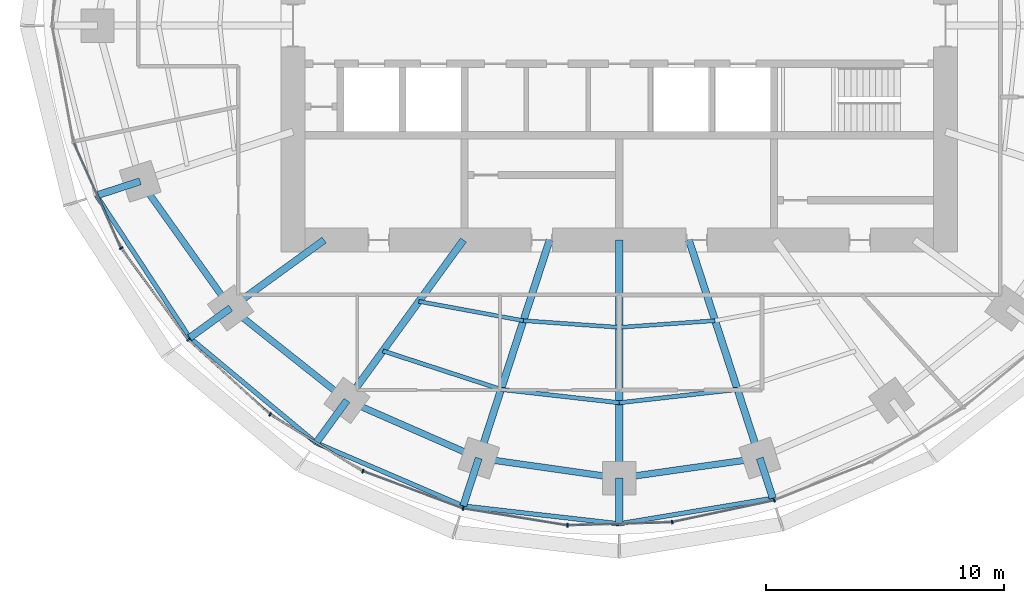
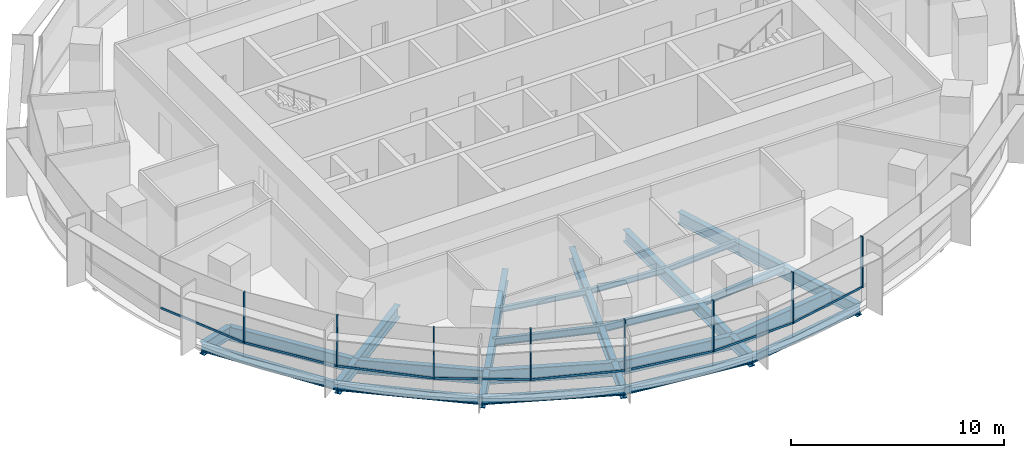
# One storey, part 2 of 14: 27 beams, 16 members, 2 elements without a shape of their own.
"""IFC4 building model written with IfcOpenShell, lengths in metres."""

import ifcopenshell
import ifcopenshell.guid

model = None  # the IFC model being written
_history = None  # IfcOwnerHistory: only IFC2X3 demands one
_inside = {}  # id of a spatial element -> (the spatial element, [elements in it])
_under = {}  # id of a project, library or spatial element -> (it, [spatial elements below it])
_declared = {}  # id of a project -> (the project, [libraries it declares])
_typed = {}  # id of a type object -> (the type object, [elements of that type])
_made_of = {}  # id of a material, layer set ... -> (it, [elements and type objects made of it])


def new_model(schema):
    """Start an empty IFC model of exactly this schema.

    Asked for "IFC4X3", IfcOpenShell would pick the latest addendum, in which some entities
    have other attributes; the version numbers below select the first issue.
    IFC2X3 requires an IfcOwnerHistory on every rooted entity: one is made here for all.
    """
    global model, _history
    if schema == "IFC4X3":
        model = ifcopenshell.file(schema_version=(4, 3, 0, 0))
    else:
        model = ifcopenshell.file(schema=schema)
    _inside.clear()
    _under.clear()
    _declared.clear()
    _typed.clear()
    _made_of.clear()
    _history = None
    if model.schema == "IFC2X3":
        org = make("IfcOrganization", Name="unknown")
        user = make(
            "IfcPersonAndOrganization",
            ThePerson=make("IfcPerson", FamilyName="unknown"),
            TheOrganization=org,
        )
        app = make(
            "IfcApplication",
            ApplicationDeveloper=org,
            Version="unknown",
            ApplicationFullName="unknown",
            ApplicationIdentifier="unknown",
        )
        _history = make(
            "IfcOwnerHistory",
            OwningUser=user,
            OwningApplication=app,
            ChangeAction="ADDED",
            CreationDate=0,
        )
    return model


def make(cls, **values):
    """One entity of the class cls with the attributes given. An attribute that is None is left unset."""
    return model.create_entity(
        cls, **{name: value for name, value in values.items() if value is not None}
    )


def rooted(cls, **values):
    """An entity with a GlobalId (a new one), such as an element, a storey or a relation."""
    return make(cls, GlobalId=ifcopenshell.guid.new(), OwnerHistory=_history, **values)


def si_unit(unit_type, name, prefix=None):
    """IfcSIUnit, for example si_unit("LENGTHUNIT", "METRE", prefix="MILLI")."""
    return make("IfcSIUnit", UnitType=unit_type, Prefix=prefix, Name=name)


def assignment(units):
    """IfcUnitAssignment: the units of a project."""
    return None if units is None else make("IfcUnitAssignment", Units=units)


def point(xyz):
    """IfcCartesianPoint."""
    return None if xyz is None else make("IfcCartesianPoint", Coordinates=xyz)


def direction(xyz):
    """IfcDirection."""
    return None if xyz is None else make("IfcDirection", DirectionRatios=xyz)


def frame(location, z_axis=None, x_axis=None):
    """IfcAxis2Placement3D, a coordinate frame: its origin and axes. An axis left out is left unset."""
    return make(
        "IfcAxis2Placement3D",
        Location=point(location),
        Axis=direction(z_axis),
        RefDirection=direction(x_axis),
    )


def frame_2d(location, x_axis=None):
    """IfcAxis2Placement2D, a coordinate frame in the plane: its origin and x axis."""
    return make(
        "IfcAxis2Placement2D", Location=point(location), RefDirection=direction(x_axis)
    )


def origin():
    """The frame at (0, 0, 0) with its axes left unset."""
    return frame((0.0, 0.0, 0.0))


def origin_2d():
    """The frame at (0, 0) in the plane with its x axis left unset."""
    return frame_2d((0.0, 0.0))


def place(relative_to, where):
    """IfcLocalPlacement: puts the frame where relative to a parent placement (None: the world)."""
    return make(
        "IfcLocalPlacement", PlacementRelTo=relative_to, RelativePlacement=where
    )


def context(
    kind, dimensions, precision=None, world=None, true_north=None, identifier=None
):
    """IfcGeometricRepresentationContext, for example the 3D "Model" context."""
    return make(
        "IfcGeometricRepresentationContext",
        ContextIdentifier=identifier,
        ContextType=kind,
        CoordinateSpaceDimension=dimensions,
        Precision=precision,
        WorldCoordinateSystem=world,
        TrueNorth=true_north,
    )


def subcontext(parent, identifier, kind, view, scale=None):
    """IfcGeometricRepresentationSubContext, for example "Body" below "Model"."""
    return make(
        "IfcGeometricRepresentationSubContext",
        ContextIdentifier=identifier,
        ContextType=kind,
        ParentContext=parent,
        TargetScale=scale,
        TargetView=view,
    )


def project(units=None, contexts=None):
    """IfcProject with its units and contexts."""
    return rooted(
        "IfcProject",
        Name="project",
        RepresentationContexts=contexts,
        UnitsInContext=assignment(units),
    )


def spatial(cls, under=None, at=None, **own):
    """A site, building, storey or space (cls), placed at a placement, below another one or the project."""
    s = rooted(cls, ObjectPlacement=at, **own)
    if under is not None:
        _under.setdefault(under.id(), (under, []))[1].append(s)
    return s


def profile(cls, at=None, kind="AREA", **sizes):
    """A parametric profile (cls). Its sizes go by their IFC names, for example OverallWidth=200.0."""
    return make(cls, ProfileType=kind, Position=at, **sizes)


def rectangle(**sizes):
    """IfcRectangleProfileDef."""
    return profile("IfcRectangleProfileDef", **sizes)


def i_section(**sizes):
    """IfcIShapeProfileDef."""
    return profile("IfcIShapeProfileDef", **sizes)


def extrude(swept, where, along, depth):
    """IfcExtrudedAreaSolid: the profile swept, set in the frame where, extruded along a direction by depth."""
    return make(
        "IfcExtrudedAreaSolid",
        SweptArea=swept,
        Position=where,
        ExtrudedDirection=direction(along),
        Depth=depth,
    )


def shape(context_of_items, identifier, shape_type, items):
    """IfcShapeRepresentation: the items that make up one representation, for example the "Body"."""
    return make(
        "IfcShapeRepresentation",
        ContextOfItems=context_of_items,
        RepresentationIdentifier=identifier,
        RepresentationType=shape_type,
        Items=items,
    )


def material(Name=None, Category=None):
    """IfcMaterial."""
    return make("IfcMaterial", Name=Name, Category=Category)


def material_profile(
    of_material, cross_section, Name=None, Category=None, Priority=None
):
    """IfcMaterialProfile: a cross section and its material."""
    return make(
        "IfcMaterialProfile",
        Name=Name,
        Material=of_material,
        Profile=cross_section,
        Priority=Priority,
        Category=Category,
    )


def profile_set(profiles, Name=None, composite=None):
    """IfcMaterialProfileSet."""
    return make(
        "IfcMaterialProfileSet",
        Name=Name,
        MaterialProfiles=profiles,
        CompositeProfile=composite,
    )


def made_of(thing, what):
    """Note that an element or type object is made of a material, layer set ...; save() writes the relation."""
    if what is not None:
        _made_of.setdefault(what.id(), (what, []))[1].append(thing)
    return thing


def type_object(cls, material=None, **own):
    """A type object (cls), such as IfcWallType, which elements share."""
    return made_of(rooted(cls, **own), material)


def element(
    cls,
    number,
    at=None,
    inside=None,
    cuts=None,
    type_object=None,
    material=None,
    context=None,
    identifier="Body",
    shape_type=None,
    held_by="IfcProductDefinitionShape",
    body=None,
    shapes=None,
    **own,
):
    """One element of the class cls, such as IfcWall. Its Tag is "e" and its number.

    at: its placement. inside: the storey or other place that contains it. cuts: it is an
    opening in that element (IfcRelVoidsElement). A single representation is given by context,
    identifier, shape_type and body (its items); several are given by shapes. held_by: the class
    of the entity that holds the representations. save() writes the other relations.
    """
    e = rooted(cls, Tag="e%d" % number, ObjectPlacement=at, **own)
    if body is not None:
        shapes = [shape(context, identifier, shape_type, body)]
    if shapes is not None:
        e.Representation = make(held_by, Representations=shapes)
    if inside is not None:
        _inside.setdefault(inside.id(), (inside, []))[1].append(e)
    if cuts is not None:
        rooted(
            "IfcRelVoidsElement", RelatingBuildingElement=cuts, RelatedOpeningElement=e
        )
    if type_object is not None:
        _typed.setdefault(type_object.id(), (type_object, []))[1].append(e)
    return made_of(e, material)


def aggregate(whole, parts):
    """IfcRelAggregates: a whole, such as a stair, and the parts it consists of."""
    return rooted("IfcRelAggregates", RelatingObject=whole, RelatedObjects=parts)


def save(model, path):
    """Write the relations noted so far, then the file.

    IfcRelAggregates (storeys below a building ...), IfcRelContainedInSpatialStructure (elements
    in a storey), IfcRelDefinesByType, IfcRelAssociatesMaterial and IfcRelDeclares: one each for
    every whole, place, type object, material and project.
    """
    for whole, parts in _under.values():
        aggregate(whole, parts)
    for where, things in _inside.values():
        rooted(
            "IfcRelContainedInSpatialStructure",
            RelatedElements=things,
            RelatingStructure=where,
        )
    for kind, things in _typed.values():
        rooted("IfcRelDefinesByType", RelatedObjects=things, RelatingType=kind)
    for what, things in _made_of.values():
        rooted("IfcRelAssociatesMaterial", RelatedObjects=things, RelatingMaterial=what)
    for by, libraries in _declared.values():
        rooted("IfcRelDeclares", RelatingContext=by, RelatedDefinitions=libraries)
    model.write(path)


model = new_model("IFC4")

# Units and contexts
model_context = context("Model", 3, precision=1e-05, world=origin(), true_north=direction((0.0, 1.0)))
body_context = subcontext(model_context, "Body", "Model", "MODEL_VIEW")
ifc_project = project(units=[si_unit("LENGTHUNIT", "METRE"), si_unit("AREAUNIT", "SQUARE_METRE"), si_unit("VOLUMEUNIT", "CUBIC_METRE"), si_unit("PLANEANGLEUNIT", "RADIAN"), si_unit("MASSUNIT", "GRAM", prefix="KILO")], contexts=[model_context])

# Site, building, storey
site_placement = place(None, origin())
site = spatial("IfcSite", under=ifc_project, at=site_placement, CompositionType="ELEMENT")
building_placement = place(site_placement, origin())
building = spatial("IfcBuilding", under=site, at=building_placement, Name="Marramba Exchange Tower", CompositionType="ELEMENT")
storey_placement = place(building_placement, frame((0.0, 0.0, 195.5)))
storey = spatial("IfcBuildingStorey", under=building, at=storey_placement, Name="L47", CompositionType="ELEMENT", Elevation=195.5)

# Beams
ifc_material_1 = material(Name="Steel AS/NZS 3679.2 grade 300", Category="steel")
ifc_material_profile_1 = material_profile(ifc_material_1, i_section(OverallWidth=0.300048828125, OverallDepth=0.699951171875, WebThickness=0.010009765625, FlangeThickness=0.031982421875, at=origin_2d()), Name="700WB173")
ifc_profile_set_1 = profile_set([ifc_material_profile_1], Name="Steel AS/NZS 3679.2 grade 300")
beam_type_1 = type_object("IfcBeamType", Name="Cantilever girder 700WB173", PredefinedType="BEAM", material=ifc_profile_set_1)
beam_1_placement = place(storey_placement, frame((-20.109375, -6.533935546875, -0.510009765625), z_axis=(-0.951071238541, -0.308971680287, 0.0), x_axis=(0.308971680287, -0.951071238541, 0.0)))
element("IfcBeam", 1, at=beam_1_placement, inside=storey, type_object=beam_type_1, Name="Cantilever girder L47 TC12", PredefinedType="BEAM", context=body_context, shape_type="SweptSolid", body=[
    extrude(i_section(OverallWidth=0.300048828125, OverallDepth=0.699951171875, WebThickness=0.010009765625, FlangeThickness=0.031982421875, at=origin_2d()), origin(), (0.0, 0.0, 1.0), 1.930419921875),
])
beam_2_placement = place(storey_placement, frame((-16.3154296875, -11.853759765625, -0.510009765625), z_axis=(-0.808969966943, -0.587849974555, 0.0), x_axis=(0.587849974555, -0.808969966943, 0.0)))
element("IfcBeam", 2, at=beam_2_placement, inside=storey, type_object=beam_type_1, Name="Cantilever girder L47 TC13", PredefinedType="BEAM", context=body_context, shape_type="SweptSolid", body=[
    extrude(i_section(OverallWidth=0.300048828125, OverallDepth=0.699951171875, WebThickness=0.010009765625, FlangeThickness=0.031982421875, at=origin_2d()), origin(), (0.0, 0.0, 1.0), 2.12109375),
])
beam_3_placement = place(storey_placement, frame((-11.430419921875, -15.732666015625, -0.510009765625), z_axis=(-0.587789596657, -0.809013837992, 0.0), x_axis=(0.809013837992, -0.587789596657, 0.0)))
element("IfcBeam", 3, at=beam_3_placement, inside=storey, type_object=beam_type_1, Name="Cantilever girder L47 TC14", PredefinedType="BEAM", context=body_context, shape_type="SweptSolid", body=[
    extrude(i_section(OverallWidth=0.300048828125, OverallDepth=0.699951171875, WebThickness=0.010009765625, FlangeThickness=0.031982421875, at=origin_2d()), origin(), (0.0, 0.0, 1.0), 2.203857421875),
])
beam_4_placement = place(storey_placement, frame((-5.899658203125, -18.156982421875, -0.510009765625), z_axis=(-0.308971068529, -0.951071437281, 0.0), x_axis=(0.951071437281, -0.308971068529, 0.0)))
element("IfcBeam", 4, at=beam_4_placement, inside=storey, type_object=beam_type_1, Name="Cantilever girder L47 TC15", PredefinedType="BEAM", context=body_context, shape_type="SweptSolid", body=[
    extrude(i_section(OverallWidth=0.300048828125, OverallDepth=0.699951171875, WebThickness=0.010009765625, FlangeThickness=0.031982421875, at=origin_2d()), origin(), (0.0, 0.0, 1.0), 2.112060546875),
])
beam_5_placement = place(storey_placement, frame((0.0, -18.99609375, -0.510009765625), z_axis=(0.0, -1.0, 0.0), x_axis=(1.0, 0.0, 0.0)))
element("IfcBeam", 5, at=beam_5_placement, inside=storey, type_object=beam_type_1, Name="Cantilever girder L47 TC16", PredefinedType="BEAM", context=body_context, shape_type="SweptSolid", body=[
    extrude(i_section(OverallWidth=0.300048828125, OverallDepth=0.699951171875, WebThickness=0.010009765625, FlangeThickness=0.031982421875, at=origin_2d()), origin(), (0.0, 0.0, 1.0), 1.917724609375),
])
beam_6_placement = place(storey_placement, frame((5.899658203125, -18.156982421875, -0.510009765625), z_axis=(0.308926813415, -0.951085813138, 0.0), x_axis=(0.951085813138, 0.308926813415, 0.0)))
element("IfcBeam", 6, at=beam_6_placement, inside=storey, type_object=beam_type_1, Name="Cantilever girder L47 TC17", PredefinedType="BEAM", context=body_context, shape_type="SweptSolid", body=[
    extrude(i_section(OverallWidth=0.300048828125, OverallDepth=0.699951171875, WebThickness=0.010009765625, FlangeThickness=0.031982421875, at=origin_2d()), origin(), (0.0, 0.0, 1.0), 1.767822265625),
])
ifc_material_2 = material(Name="Steel AS/NZS 3679.1 grade 300", Category="steel")
ifc_material_profile_2 = material_profile(ifc_material_2, i_section(OverallWidth=0.166015625, OverallDepth=0.306884765625, WebThickness=0.006591796875, FlangeThickness=0.01171875, FilletRadius=0.011474609375, at=origin_2d()), Name="310UB46.2")
ifc_profile_set_2 = profile_set([ifc_material_profile_2], Name="Steel AS/NZS 3679.1 grade 300")
beam_type_2 = type_object("IfcBeamType", Name="Floor joist 310UB46.2", PredefinedType="JOIST", material=ifc_profile_set_2)
beam_7_placement = place(storey_placement, frame((-8.41162109375, -11.57763671875, -0.3134765625), z_axis=(0.983455754421, -0.181148500119, 0.0), x_axis=(0.181148500119, 0.983455754421, 0.0)))
element("IfcBeam", 7, at=beam_7_placement, inside=storey, type_object=beam_type_2, Name="Joist L47 bay 14 row 1", PredefinedType="JOIST", context=body_context, shape_type="SweptSolid", body=[
    extrude(i_section(OverallWidth=0.166015625, OverallDepth=0.306884765625, WebThickness=0.006591796875, FlangeThickness=0.01171875, FilletRadius=0.011474609375, at=origin_2d()), origin(), (0.0, 0.0, 1.0), 4.4609375),
])
for number, where, z_axis, x_axis, name in (
    (8, (-4.0244140625, -12.3857421875, -0.3134765625), (0.99759625901, -0.069294328838, 0.0), (0.069294328838, 0.99759625901, 0.0), "Joist L47 bay 15 row 1"),
    (9, (0.0, -12.665283203125, -0.3134765625), (0.99759625901, 0.069294328838, 0.0), (-0.069294328838, 0.99759625901, 0.0), "Joist L47 bay 16 row 1"),
):
    element("IfcBeam", number, at=place(storey_placement, frame(where, z_axis=z_axis, x_axis=x_axis)), inside=storey, type_object=beam_type_2, Name=name, PredefinedType="JOIST", context=body_context, shape_type="SweptSolid", body=[
        extrude(i_section(OverallWidth=0.166015625, OverallDepth=0.306884765625, WebThickness=0.006591796875, FlangeThickness=0.01171875, FilletRadius=0.011474609375, at=origin_2d()), origin(), (0.0, 0.0, 1.0), 4.0341796875),
    ])
ifc_material_profile_3 = material_profile(ifc_material_2, i_section(OverallWidth=0.177978515625, OverallDepth=0.406005859375, WebThickness=0.0078125, FlangeThickness=0.0126953125, FilletRadius=0.011474609375, at=origin_2d()), Name="410UB59.7")
ifc_profile_set_3 = profile_set([ifc_material_profile_3], Name="Steel AS/NZS 3679.1 grade 300")
beam_type_3 = type_object("IfcBeamType", Name="Floor joist 410UB59.7", PredefinedType="JOIST", material=ifc_profile_set_3)
beam_8_placement = place(storey_placement, frame((-9.9208984375, -13.655029296875, -0.363037109375), z_axis=(0.950764024931, -0.309915744834, 0.0), x_axis=(0.309915744834, 0.950764024931, 0.0)))
element("IfcBeam", 10, at=beam_8_placement, inside=storey, type_object=beam_type_3, Name="Joist L47 bay 14 row 2", PredefinedType="JOIST", context=body_context, shape_type="SweptSolid", body=[
    extrude(i_section(OverallWidth=0.177978515625, OverallDepth=0.406005859375, WebThickness=0.0078125, FlangeThickness=0.0126953125, FilletRadius=0.011474609375, at=origin_2d()), origin(), (0.0, 0.0, 1.0), 5.2158203125),
])
for number, where, z_axis, x_axis, name in (
    (11, (-4.9619140625, -15.271484375, -0.363037109375), (0.993712018573, -0.111966174106, 0.0), (0.111966174106, 0.993712018573, 0.0), "Joist L47 bay 15 row 2"),
    (12, (0.0, -15.83056640625, -0.363037109375), (0.993712018573, 0.111966174106, 0.0), (-0.111966174106, 0.993712018573, 0.0), "Joist L47 bay 16 row 2"),
):
    element("IfcBeam", number, at=place(storey_placement, frame(where, z_axis=z_axis, x_axis=x_axis)), inside=storey, type_object=beam_type_3, Name=name, PredefinedType="JOIST", context=body_context, shape_type="SweptSolid", body=[
        extrude(i_section(OverallWidth=0.177978515625, OverallDepth=0.406005859375, WebThickness=0.0078125, FlangeThickness=0.0126953125, FilletRadius=0.011474609375, at=origin_2d()), origin(), (0.0, 0.0, 1.0), 4.993408203125),
    ])

# Curtain wall, members
ifc_material_3 = material(Name="Aluminium framing, bronze anodised", Category="aluminium")
curtain_wall_type = type_object("IfcCurtainWallType", Name="Office ribbon curtain wall", PredefinedType="USERDEFINED", material=ifc_material_3)
curtain_wall_1_placement = place(storey_placement, origin())
curtain_wall_1 = element("IfcCurtainWall", 13, at=curtain_wall_1_placement, inside=storey, type_object=curtain_wall_type, Name="Curtain wall CW4 L47 F16-F20", ObjectType="RIBBON CURTAIN WALL", PredefinedType="USERDEFINED")
ifc_material_4 = material(Name="Aluminium mullion, bronze anodised", Category="aluminium")
ifc_material_profile_4 = material_profile(ifc_material_4, rectangle(XDim=0.159912109375, YDim=0.06005859375, at=origin_2d()), Name="CW4 mullion 60x160")
ifc_profile_set_4 = profile_set([ifc_material_profile_4], Name="Aluminium mullion, bronze anodised")
member_type_1 = type_object("IfcMemberType", Name="Office ribbon curtain wall mullion", PredefinedType="MULLION", material=ifc_profile_set_4)
member_1_placement = place(storey_placement, frame((-20.910400390625, -9.342041015625, 0.800048828125), z_axis=(0.0, 0.0, 1.0), x_axis=(0.806508054547, 0.591223103363, 0.0)))
member_1 = element("IfcMember", 14, at=member_1_placement, type_object=member_type_1, Name="CW4 mullion 1", PredefinedType="MULLION", context=body_context, shape_type="SweptSolid", body=[
    extrude(rectangle(XDim=0.159912109375, YDim=0.06005859375, at=origin_2d()), origin(), (0.0, 0.0, 1.0), 2.93994140625),
])
member_2_placement = place(storey_placement, frame((-18.090087890625, -13.179443359375, 0.800048828125), z_axis=(0.0, 0.0, 1.0), x_axis=(0.67567103474, 0.737203264245, 0.0)))
member_2 = element("IfcMember", 15, at=member_2_placement, type_object=member_type_1, Name="CW4 mullion 1", PredefinedType="MULLION", context=body_context, shape_type="SweptSolid", body=[
    extrude(rectangle(XDim=0.159912109375, YDim=0.06005859375, at=origin_2d()), origin(), (0.0, 0.0, 1.0), 2.93994140625),
])
member_3_placement = place(storey_placement, frame((-14.655029296875, -16.320068359375, 0.800048828125), z_axis=(0.0, 0.0, 1.0), x_axis=(0.52305160869, 0.85230101176, 0.0)))
member_3 = element("IfcMember", 16, at=member_3_placement, type_object=member_type_1, Name="CW4 mullion 1", PredefinedType="MULLION", context=body_context, shape_type="SweptSolid", body=[
    extrude(rectangle(XDim=0.159912109375, YDim=0.06005859375, at=origin_2d()), origin(), (0.0, 0.0, 1.0), 2.93994140625),
])

curtain_wall_2_placement = place(storey_placement, origin())
curtain_wall_2 = element("IfcCurtainWall", 17, at=curtain_wall_2_placement, inside=storey, type_object=curtain_wall_type, Name="Curtain wall CW4 L47 F21-F25", ObjectType="RIBBON CURTAIN WALL", PredefinedType="USERDEFINED")
member_4_placement = place(storey_placement, frame((-10.76318359375, -18.70166015625, 0.800048828125), z_axis=(0.0, 0.0, 1.0), x_axis=(0.349459197687, 0.936951583142, 0.0)))
member_4 = element("IfcMember", 18, at=member_4_placement, type_object=member_type_1, Name="CW4 mullion 1", PredefinedType="MULLION", context=body_context, shape_type="SweptSolid", body=[
    extrude(rectangle(XDim=0.159912109375, YDim=0.06005859375, at=origin_2d()), origin(), (0.0, 0.0, 1.0), 2.93994140625),
])
member_5_placement = place(storey_placement, frame((-6.553466796875, -20.265625, 0.800048828125), z_axis=(0.0, 0.0, 1.0), x_axis=(0.161145726194, 0.986930623159, 0.0)))
member_5 = element("IfcMember", 19, at=member_5_placement, type_object=member_type_1, Name="CW4 mullion 1", PredefinedType="MULLION", context=body_context, shape_type="SweptSolid", body=[
    extrude(rectangle(XDim=0.159912109375, YDim=0.06005859375, at=origin_2d()), origin(), (0.0, 0.0, 1.0), 2.93994140625),
])
member_6_placement = place(storey_placement, frame((-2.174560546875, -20.974853515625, 0.800048828125), z_axis=(0.0, 0.0, 1.0), x_axis=(-0.029393451762, 0.99956791915, 0.0)))
member_6 = element("IfcMember", 20, at=member_6_placement, type_object=member_type_1, Name="CW4 mullion 1", PredefinedType="MULLION", context=body_context, shape_type="SweptSolid", body=[
    extrude(rectangle(XDim=0.159912109375, YDim=0.06005859375, at=origin_2d()), origin(), (0.0, 0.0, 1.0), 2.93994140625),
])
member_7_placement = place(storey_placement, frame((2.220458984375, -20.840087890625, 0.800048828125), z_axis=(0.0, 0.0, 1.0), x_axis=(-0.208332456608, 0.978058069607, 0.0)))
member_7 = element("IfcMember", 21, at=member_7_placement, type_object=member_type_1, Name="CW4 mullion 1", PredefinedType="MULLION", context=body_context, shape_type="SweptSolid", body=[
    extrude(rectangle(XDim=0.159912109375, YDim=0.06005859375, at=origin_2d()), origin(), (0.0, 0.0, 1.0), 2.93994140625),
])
member_8_placement = place(storey_placement, frame((6.504638671875, -19.922607421875, 0.800048828125), z_axis=(0.0, 0.0, 1.0), x_axis=(-0.367374724195, 0.93007301435, 0.0)))
member_8 = element("IfcMember", 22, at=member_8_placement, type_object=member_type_1, Name="CW4 mullion 1", PredefinedType="MULLION", context=body_context, shape_type="SweptSolid", body=[
    extrude(rectangle(XDim=0.159912109375, YDim=0.06005859375, at=origin_2d()), origin(), (0.0, 0.0, 1.0), 2.93994140625),
])

# Member
ifc_material_5 = material(Name="Aluminium transom, bronze anodised", Category="aluminium")
ifc_material_profile_5 = material_profile(ifc_material_5, rectangle(XDim=0.06005859375, YDim=0.1201171875, at=origin_2d()), Name="CW4 transom 60x120")
ifc_profile_set_5 = profile_set([ifc_material_profile_5], Name="Aluminium transom, bronze anodised")
member_type_2 = type_object("IfcMemberType", Name="Office ribbon curtain wall transom", PredefinedType="USERDEFINED", material=ifc_profile_set_5)
member_9_placement = place(storey_placement, frame((-22.888671875, -4.925048828125, 0.830078125), z_axis=(0.407541263131, -0.913186792965, 0.0), x_axis=(0.913186792965, 0.407541263131, 0.0)))
member_9 = element("IfcMember", 23, at=member_9_placement, type_object=member_type_2, Name="CW4 sill transom", ObjectType="TRANSOM", PredefinedType="USERDEFINED", context=body_context, shape_type="SweptSolid", body=[
    extrude(rectangle(XDim=0.06005859375, YDim=0.1201171875, at=origin_2d()), origin(), (0.0, 0.0, 1.0), 4.810546875),
])

member_10_placement = place(storey_placement, frame((-20.892578125, -9.3662109375, 0.830078125), z_axis=(0.591226373184, -0.806505657545, 0.0), x_axis=(0.806505657545, 0.591226373184, 0.0)))
member_10 = element("IfcMember", 24, at=member_10_placement, type_object=member_type_2, Name="CW4 sill transom", ObjectType="TRANSOM", PredefinedType="USERDEFINED", context=body_context, shape_type="SweptSolid", body=[
    extrude(rectangle(XDim=0.06005859375, YDim=0.1201171875, at=origin_2d()), origin(), (0.0, 0.0, 1.0), 4.702880859375),
])

member_11_placement = place(storey_placement, frame((-18.06787109375, -13.19970703125, 0.830078125), z_axis=(0.737176195283, -0.675700567639, 0.0), x_axis=(0.675700567639, 0.737176195283, 0.0)))
member_11 = element("IfcMember", 25, at=member_11_placement, type_object=member_type_2, Name="CW4 sill transom", ObjectType="TRANSOM", PredefinedType="USERDEFINED", context=body_context, shape_type="SweptSolid", body=[
    extrude(rectangle(XDim=0.06005859375, YDim=0.1201171875, at=origin_2d()), origin(), (0.0, 0.0, 1.0), 4.5947265625),
])

member_12_placement = place(storey_placement, frame((-14.62939453125, -16.335693359375, 0.830078125), z_axis=(0.852298011003, -0.523056498325, 0.0), x_axis=(0.523056498325, 0.852298011003, 0.0)))
member_12 = element("IfcMember", 26, at=member_12_placement, type_object=member_type_2, Name="CW4 sill transom", ObjectType="TRANSOM", PredefinedType="USERDEFINED", context=body_context, shape_type="SweptSolid", body=[
    extrude(rectangle(XDim=0.06005859375, YDim=0.1201171875, at=origin_2d()), origin(), (0.0, 0.0, 1.0), 4.503173828125),
])

aggregate(curtain_wall_1, [member_9, member_1, member_10, member_2, member_11, member_3, member_12])

member_13_placement = place(storey_placement, frame((-10.735107421875, -18.712158203125, 0.830078125), z_axis=(0.936954830677, -0.349450490444, 0.0), x_axis=(0.349450490444, 0.936954830677, 0.0)))
member_13 = element("IfcMember", 27, at=member_13_placement, type_object=member_type_2, Name="CW4 sill transom", ObjectType="TRANSOM", PredefinedType="USERDEFINED", context=body_context, shape_type="SweptSolid", body=[
    extrude(rectangle(XDim=0.06005859375, YDim=0.1201171875, at=origin_2d()), origin(), (0.0, 0.0, 1.0), 4.431396484375),
])

member_14_placement = place(storey_placement, frame((-6.52392578125, -20.2705078125, 0.830078125), z_axis=(0.986937225488, -0.161105285282, 0.0), x_axis=(0.161105285282, 0.986937225488, 0.0)))
member_14 = element("IfcMember", 28, at=member_14_placement, type_object=member_type_2, Name="CW4 sill transom", ObjectType="TRANSOM", PredefinedType="USERDEFINED", context=body_context, shape_type="SweptSolid", body=[
    extrude(rectangle(XDim=0.06005859375, YDim=0.1201171875, at=origin_2d()), origin(), (0.0, 0.0, 1.0), 4.37646484375),
])

member_15_placement = place(storey_placement, frame((-2.144775390625, -20.973876953125, 0.830078125), z_axis=(0.999568338005, 0.029379204529, 0.0), x_axis=(-0.029379204529, 0.999568338005, 0.0)))
member_15 = element("IfcMember", 29, at=member_15_placement, type_object=member_type_2, Name="CW4 sill transom", ObjectType="TRANSOM", PredefinedType="USERDEFINED", context=body_context, shape_type="SweptSolid", body=[
    extrude(rectangle(XDim=0.06005859375, YDim=0.1201171875, at=origin_2d()), origin(), (0.0, 0.0, 1.0), 4.337890625),
])

member_16_placement = place(storey_placement, frame((2.249755859375, -20.833984375, 0.830078125), z_axis=(0.978057951839, 0.208333009494, 0.0), x_axis=(-0.208333009494, 0.978057951839, 0.0)))
member_16 = element("IfcMember", 30, at=member_16_placement, type_object=member_type_2, Name="CW4 sill transom", ObjectType="TRANSOM", PredefinedType="USERDEFINED", context=body_context, shape_type="SweptSolid", body=[
    extrude(rectangle(XDim=0.06005859375, YDim=0.1201171875, at=origin_2d()), origin(), (0.0, 0.0, 1.0), 4.32177734375),
])

aggregate(curtain_wall_2, [member_4, member_13, member_5, member_14, member_6, member_15, member_7, member_16, member_8])

# Beams
ifc_material_profile_6 = material_profile(ifc_material_1, i_section(OverallWidth=0.300048828125, OverallDepth=0.699951171875, WebThickness=0.010009765625, FlangeThickness=0.031982421875, at=origin_2d()), Name="700WB173")
ifc_profile_set_6 = profile_set([ifc_material_profile_6], Name="Steel AS/NZS 3679.2 grade 300")
beam_type_4 = type_object("IfcBeamType", Name="Radial girder 700WB173", PredefinedType="BEAM", material=ifc_profile_set_6)
beam_9_placement = place(storey_placement, frame((-12.387451171875, -9.0, -0.510009765625), z_axis=(-0.809025189606, -0.58777397236, 0.0), x_axis=(0.58777397236, -0.809025189606, 0.0)))
element("IfcBeam", 31, at=beam_9_placement, inside=storey, type_object=beam_type_4, Name="Radial girder L47 TC13", PredefinedType="BEAM", context=body_context, shape_type="SweptSolid", body=[
    extrude(i_section(OverallWidth=0.300048828125, OverallDepth=0.699951171875, WebThickness=0.010009765625, FlangeThickness=0.031982421875, at=origin_2d()), origin(), (0.0, 0.0, 1.0), 4.855224609375),
])
beam_10_placement = place(storey_placement, frame((-6.538818359375, -9.0, -0.510009765625), z_axis=(-0.587787877172, -0.809015087282, 0.0), x_axis=(0.809015087282, -0.587787877172, 0.0)))
element("IfcBeam", 32, at=beam_10_placement, inside=storey, type_object=beam_type_4, Name="Radial girder L47 TC14", PredefinedType="BEAM", context=body_context, shape_type="SweptSolid", body=[
    extrude(i_section(OverallWidth=0.300048828125, OverallDepth=0.699951171875, WebThickness=0.010009765625, FlangeThickness=0.031982421875, at=origin_2d()), origin(), (0.0, 0.0, 1.0), 8.322021484375),
])
beam_11_placement = place(storey_placement, frame((-2.92431640625, -9.0, -0.510009765625), z_axis=(-0.309022428985, -0.951054750466, 0.0), x_axis=(0.951054750466, -0.309022428985, 0.0)))
element("IfcBeam", 33, at=beam_11_placement, inside=storey, type_object=beam_type_4, Name="Radial girder L47 TC15", PredefinedType="BEAM", context=body_context, shape_type="SweptSolid", body=[
    extrude(i_section(OverallWidth=0.300048828125, OverallDepth=0.699951171875, WebThickness=0.010009765625, FlangeThickness=0.031982421875, at=origin_2d()), origin(), (0.0, 0.0, 1.0), 9.628173828125),
])
beam_12_placement = place(storey_placement, frame((0.0, -9.0, -0.510009765625), z_axis=(0.0, -1.0, 0.0), x_axis=(1.0, 0.0, 0.0)))
element("IfcBeam", 34, at=beam_12_placement, inside=storey, type_object=beam_type_4, Name="Radial girder L47 TC16", PredefinedType="BEAM", context=body_context, shape_type="SweptSolid", body=[
    extrude(i_section(OverallWidth=0.300048828125, OverallDepth=0.699951171875, WebThickness=0.010009765625, FlangeThickness=0.031982421875, at=origin_2d()), origin(), (0.0, 0.0, 1.0), 9.99609375),
])
beam_13_placement = place(storey_placement, frame((2.92431640625, -9.0, -0.510009765625), z_axis=(0.309022428985, -0.951054750466, 0.0), x_axis=(0.951054750466, 0.309022428985, 0.0)))
element("IfcBeam", 35, at=beam_13_placement, inside=storey, type_object=beam_type_4, Name="Radial girder L47 TC17", PredefinedType="BEAM", context=body_context, shape_type="SweptSolid", body=[
    extrude(i_section(OverallWidth=0.300048828125, OverallDepth=0.699951171875, WebThickness=0.010009765625, FlangeThickness=0.031982421875, at=origin_2d()), origin(), (0.0, 0.0, 1.0), 9.628173828125),
])
ifc_material_profile_7 = material_profile(ifc_material_1, i_section(OverallWidth=0.27490234375, OverallDepth=0.800048828125, WebThickness=0.010009765625, FlangeThickness=0.02490234375, at=origin_2d()), Name="800WB168")
ifc_profile_set_7 = profile_set([ifc_material_profile_7], Name="Steel AS/NZS 3679.2 grade 300")
beam_type_5 = type_object("IfcBeamType", Name="Ring beam 800WB168", PredefinedType="SPANDREL", material=ifc_profile_set_7)
beam_14_placement = place(storey_placement, frame((-20.109375, -6.533935546875, -0.56005859375), z_axis=(0.580637181111, -0.814162430914, 0.0), x_axis=(0.814162430914, 0.580637181111, 0.0)))
element("IfcBeam", 36, at=beam_14_placement, inside=storey, type_object=beam_type_5, Name="Ring beam L47 TC12-TC13", PredefinedType="SPANDREL", context=body_context, shape_type="SweptSolid", body=[
    extrude(i_section(OverallWidth=0.27490234375, OverallDepth=0.800048828125, WebThickness=0.010009765625, FlangeThickness=0.02490234375, at=origin_2d()), origin(), (0.0, 0.0, 1.0), 6.5341796875),
])
beam_15_placement = place(storey_placement, frame((-16.3154296875, -11.853759765625, -0.56005859375), z_axis=(0.783139438128, -0.621846138887, 0.0), x_axis=(0.621846138887, 0.783139438128, 0.0)))
element("IfcBeam", 37, at=beam_15_placement, inside=storey, type_object=beam_type_5, Name="Ring beam L47 TC13-TC14", PredefinedType="SPANDREL", context=body_context, shape_type="SweptSolid", body=[
    extrude(i_section(OverallWidth=0.27490234375, OverallDepth=0.800048828125, WebThickness=0.010009765625, FlangeThickness=0.02490234375, at=origin_2d()), origin(), (0.0, 0.0, 1.0), 6.23779296875),
])
beam_16_placement = place(storey_placement, frame((-11.430419921875, -15.732666015625, -0.56005859375), z_axis=(0.915876892158, -0.4014592363, 0.0), x_axis=(0.4014592363, 0.915876892158, 0.0)))
element("IfcBeam", 38, at=beam_16_placement, inside=storey, type_object=beam_type_5, Name="Ring beam L47 TC14-TC15", PredefinedType="SPANDREL", context=body_context, shape_type="SweptSolid", body=[
    extrude(i_section(OverallWidth=0.27490234375, OverallDepth=0.800048828125, WebThickness=0.010009765625, FlangeThickness=0.02490234375, at=origin_2d()), origin(), (0.0, 0.0, 1.0), 6.038818359375),
])
for number, where, z_axis, x_axis, name in (
    (39, (-5.899658203125, -18.156982421875, -0.56005859375), (0.990036163016, -0.140813337152, 0.0), (0.140813337152, 0.990036163016, 0.0), "Ring beam L47 TC15-TC16"),
    (40, (0.0, -18.99609375, -0.56005859375), (0.990036163016, 0.140813337152, 0.0), (-0.140813337152, 0.990036163016, 0.0), "Ring beam L47 TC16-TC17"),
):
    element("IfcBeam", number, at=place(storey_placement, frame(where, z_axis=z_axis, x_axis=x_axis)), inside=storey, type_object=beam_type_5, Name=name, PredefinedType="SPANDREL", context=body_context, shape_type="SweptSolid", body=[
        extrude(i_section(OverallWidth=0.27490234375, OverallDepth=0.800048828125, WebThickness=0.010009765625, FlangeThickness=0.02490234375, at=origin_2d()), origin(), (0.0, 0.0, 1.0), 5.958984375),
    ])
ifc_material_profile_8 = material_profile(ifc_material_2, i_section(OverallWidth=0.19091796875, OverallDepth=0.4599609375, WebThickness=0.010009765625, FlangeThickness=0.01611328125, FilletRadius=0.011474609375, at=origin_2d()), Name="460UB82.1")
ifc_profile_set_8 = profile_set([ifc_material_profile_8], Name="Steel AS/NZS 3679.1 grade 300")
beam_type_6 = type_object("IfcBeamType", Name="Slab edge beam 460UB82.1", PredefinedType="SPANDREL", material=ifc_profile_set_8)
beam_17_placement = place(storey_placement, frame((-21.9453125, -7.13037109375, -0.389892578125), z_axis=(0.548275412052, -0.83629783722, 0.0), x_axis=(0.83629783722, 0.548275412052, 0.0)))
element("IfcBeam", 41, at=beam_17_placement, inside=storey, type_object=beam_type_6, Name="Slab edge beam L47 TC12-TC13", PredefinedType="SPANDREL", context=body_context, shape_type="SweptSolid", body=[
    extrude(i_section(OverallWidth=0.19091796875, OverallDepth=0.4599609375, WebThickness=0.010009765625, FlangeThickness=0.01611328125, FilletRadius=0.011474609375, at=origin_2d()), origin(), (0.0, 0.0, 1.0), 7.138916015625),
])
beam_18_placement = place(storey_placement, frame((-18.03125, -13.1005859375, -0.389892578125), z_axis=(0.768658895231, -0.639658895649, 0.0), x_axis=(0.639658895649, 0.768658895231, 0.0)))
element("IfcBeam", 42, at=beam_18_placement, inside=storey, type_object=beam_type_6, Name="Slab edge beam L47 TC13-TC14", PredefinedType="SPANDREL", context=body_context, shape_type="SweptSolid", body=[
    extrude(i_section(OverallWidth=0.19091796875, OverallDepth=0.4599609375, WebThickness=0.010009765625, FlangeThickness=0.01611328125, FilletRadius=0.011474609375, at=origin_2d()), origin(), (0.0, 0.0, 1.0), 6.902099609375),
])
beam_19_placement = place(storey_placement, frame((-12.725830078125, -17.515625, -0.389892578125), z_axis=(0.9189117964, -0.394463065999, 0.0), x_axis=(0.394463065999, 0.9189117964, 0.0)))
element("IfcBeam", 43, at=beam_19_placement, inside=storey, type_object=beam_type_6, Name="Slab edge beam L47 TC14-TC15", PredefinedType="SPANDREL", context=body_context, shape_type="SweptSolid", body=[
    extrude(i_section(OverallWidth=0.19091796875, OverallDepth=0.4599609375, WebThickness=0.010009765625, FlangeThickness=0.01611328125, FilletRadius=0.011474609375, at=origin_2d()), origin(), (0.0, 0.0, 1.0), 6.71826171875),
])
beam_20_placement = place(storey_placement, frame((-6.55224609375, -20.165771484375, -0.389892578125), z_axis=(0.993546030009, -0.113429653325, 0.0), x_axis=(0.113429653325, 0.993546030009, 0.0)))
element("IfcBeam", 44, at=beam_20_placement, inside=storey, type_object=beam_type_6, Name="Slab edge beam L47 TC15-TC16", PredefinedType="SPANDREL", context=body_context, shape_type="SweptSolid", body=[
    extrude(i_section(OverallWidth=0.19091796875, OverallDepth=0.4599609375, WebThickness=0.010009765625, FlangeThickness=0.01611328125, FilletRadius=0.011474609375, at=origin_2d()), origin(), (0.0, 0.0, 1.0), 6.5947265625),
])
beam_21_placement = place(storey_placement, frame((0.0, -20.913818359375, -0.389892578125), z_axis=(0.986365637189, 0.164568617219, 0.0), x_axis=(-0.164568617219, 0.986365637189, 0.0)))
element("IfcBeam", 45, at=beam_21_placement, inside=storey, type_object=beam_type_6, Name="Slab edge beam L47 TC16-TC17", PredefinedType="SPANDREL", context=body_context, shape_type="SweptSolid", body=[
    extrude(i_section(OverallWidth=0.19091796875, OverallDepth=0.4599609375, WebThickness=0.010009765625, FlangeThickness=0.01611328125, FilletRadius=0.011474609375, at=origin_2d()), origin(), (0.0, 0.0, 1.0), 6.534912109375),
])

save(model, "model.ifc")
